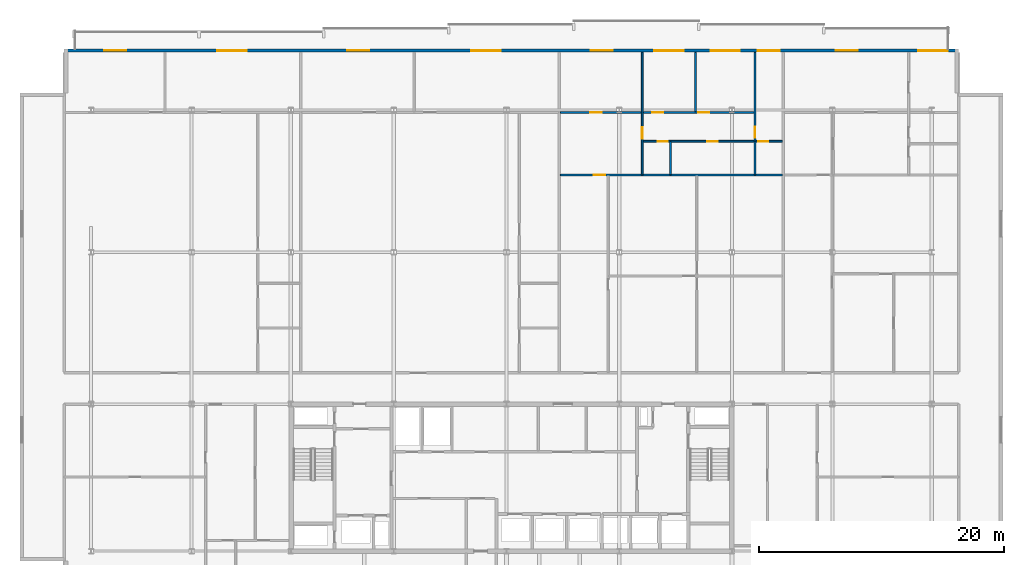
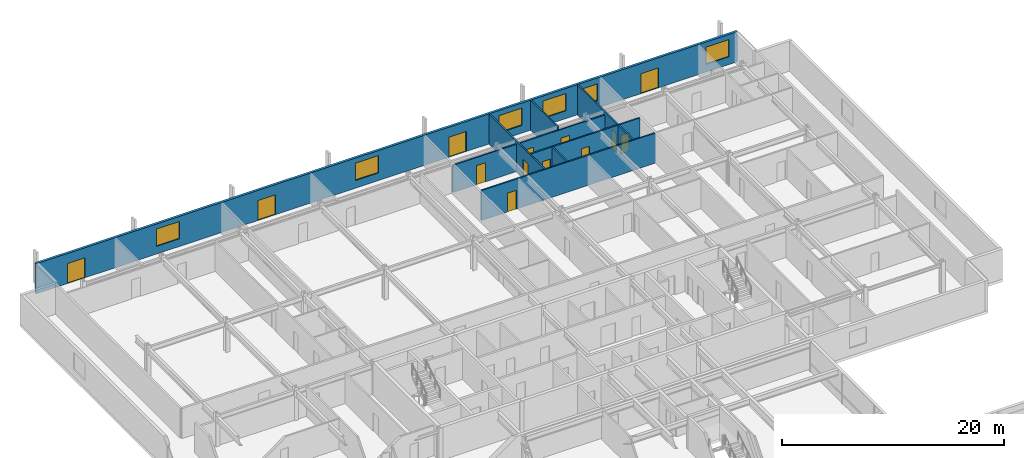
# One storey, part 28 of 36: 13 doors, 9 walls, 6 windows, 19 openings.
"""IFC4 building model written with IfcOpenShell, lengths in metres."""

from ifc_helpers import new_model, si_unit, direction, frame, frame_2d, origin, place, context, subcontext, project, spatial, rectangle, extrude, material, layer, layer_set, type_object, element, fill, save


model = new_model("IFC4")

# Units and contexts
model_context = context("Model", 3, precision=1e-05, world=origin(), true_north=direction((0.0, 1.0)))
body_context = subcontext(model_context, "Body", "Model", "MODEL_VIEW")
ifc_project = project(units=[si_unit("LENGTHUNIT", "METRE"), si_unit("AREAUNIT", "SQUARE_METRE"), si_unit("VOLUMEUNIT", "CUBIC_METRE"), si_unit("PLANEANGLEUNIT", "RADIAN"), si_unit("MASSUNIT", "GRAM", prefix="KILO")], contexts=[model_context])

# Site, building, storey
site_placement = place(None, origin())
site = spatial("IfcSite", under=ifc_project, at=site_placement, CompositionType="ELEMENT")
building_placement = place(site_placement, origin())
building = spatial("IfcBuilding", under=site, at=building_placement, Name="Korimba Cascade Residences", CompositionType="ELEMENT")
storey_placement = place(building_placement, frame((0.0, 0.0, 146.5)))
storey = spatial("IfcBuildingStorey", under=building, at=storey_placement, Name="L42", CompositionType="ELEMENT", Elevation=146.5)

# Wall, openings, doors, windows
ifc_material_1 = material(Name="Precast concrete C40/50", Category="concrete")
ifc_layer_1 = layer(ifc_material_1, 0.25)
ifc_layer_set_1 = layer_set([ifc_layer_1], Name="Precast concrete C40/50")
wall_type_1 = type_object("IfcWallType", Name="EW-LOG-250", PredefinedType="STANDARD", material=ifc_layer_set_1)
wall_1_placement = place(storey_placement, frame((130.60009765625, 96.050048828125, 0.0), z_axis=(0.0, 0.0, 1.0), x_axis=(-1.0, 0.0, 0.0)))
wall_1 = element("IfcWall", 1, at=wall_1_placement, inside=storey, type_object=wall_type_1, Name="L42 T1 Perimeter Stone Wall E06", PredefinedType="STANDARD", context=body_context, shape_type="SweptSolid", body=[
    extrude(rectangle(XDim=73.0, YDim=0.25, at=frame_2d((36.5, 0.0))), origin(), (0.0, 0.0, 1.0), 3.31005859375),
])
opening_1_placement = place(wall_1_placement, frame((67.92138671875, 0.0, 0.0)))
opening_1 = element("IfcOpeningElement", 2, at=opening_1_placement, cuts=wall_1, Name="Opening D-LG1", PredefinedType="OPENING", context=body_context, shape_type="SweptSolid", body=[
    extrude(rectangle(XDim=1.800048828125, YDim=2.199951171875, at=frame_2d((0.89990234375, 1.10009765625))), frame((0.0, 0.135009765625, 0.0), z_axis=(0.0, -1.0, 0.0), x_axis=(1.0, 0.0, 0.0)), (0.0, 0.0, 1.0), 0.27001953125),
])
opening_2_placement = place(wall_1_placement, frame((58.084228515625, 0.0, 0.85009765625)))
opening_2 = element("IfcOpeningElement", 3, at=opening_2_placement, cuts=wall_1, Name="Opening W-01", PredefinedType="OPENING", context=body_context, shape_type="SweptSolid", body=[
    extrude(rectangle(XDim=2.39990234375, YDim=1.89990234375, at=frame_2d((1.199951171875, 0.949951171875))), frame((0.0, 0.135009765625, 0.0), z_axis=(0.0, -1.0, 0.0), x_axis=(1.0, 0.0, 0.0)), (0.0, 0.0, 1.0), 0.27001953125),
])
opening_3_placement = place(wall_1_placement, frame((48.101318359375, 0.0, 0.0)))
opening_3 = element("IfcOpeningElement", 4, at=opening_3_placement, cuts=wall_1, Name="Opening D-LG1", PredefinedType="OPENING", context=body_context, shape_type="SweptSolid", body=[
    extrude(rectangle(XDim=1.800048828125, YDim=2.199951171875, at=frame_2d((0.89990234375, 1.10009765625))), frame((0.0, 0.135009765625, 0.0), z_axis=(0.0, -1.0, 0.0), x_axis=(1.0, 0.0, 0.0)), (0.0, 0.0, 1.0), 0.27001953125),
])
opening_4_placement = place(wall_1_placement, frame((37.367919921875, 0.0, 0.85009765625)))
opening_4 = element("IfcOpeningElement", 5, at=opening_4_placement, cuts=wall_1, Name="Opening W-01", PredefinedType="OPENING", context=body_context, shape_type="SweptSolid", body=[
    extrude(rectangle(XDim=2.39990234375, YDim=1.89990234375, at=frame_2d((1.199951171875, 0.949951171875))), frame((0.0, 0.135009765625, 0.0), z_axis=(0.0, -1.0, 0.0), x_axis=(1.0, 0.0, 0.0)), (0.0, 0.0, 1.0), 0.27001953125),
])
opening_5_placement = place(wall_1_placement, frame((22.445068359375, 0.0, 0.85009765625)))
opening_5 = element("IfcOpeningElement", 6, at=opening_5_placement, cuts=wall_1, Name="Opening W-01", PredefinedType="OPENING", context=body_context, shape_type="SweptSolid", body=[
    extrude(rectangle(XDim=2.39990234375, YDim=1.89990234375, at=frame_2d((1.199951171875, 0.949951171875))), frame((0.0, 0.135009765625, 0.0), z_axis=(0.0, -1.0, 0.0), x_axis=(1.0, 0.0, 0.0)), (0.0, 0.0, 1.0), 0.27001953125),
])
opening_6_placement = place(wall_1_placement, frame((17.844970703125, 0.0, 0.85009765625)))
opening_6 = element("IfcOpeningElement", 7, at=opening_6_placement, cuts=wall_1, Name="Opening W-01", PredefinedType="OPENING", context=body_context, shape_type="SweptSolid", body=[
    extrude(rectangle(XDim=2.39990234375, YDim=1.89990234375, at=frame_2d((1.199951171875, 0.949951171875))), frame((0.0, 0.135009765625, 0.0), z_axis=(0.0, -1.0, 0.0), x_axis=(1.0, 0.0, 0.0)), (0.0, 0.0, 1.0), 0.27001953125),
])
opening_7_placement = place(wall_1_placement, frame((28.2392578125, 0.0, 0.0)))
opening_7 = element("IfcOpeningElement", 8, at=opening_7_placement, cuts=wall_1, Name="Opening D-LG1", PredefinedType="OPENING", context=body_context, shape_type="SweptSolid", body=[
    extrude(rectangle(XDim=1.800048828125, YDim=2.199951171875, at=frame_2d((0.89990234375, 1.10009765625))), frame((0.0, 0.135009765625, 0.0), z_axis=(0.0, -1.0, 0.0), x_axis=(1.0, 0.0, 0.0)), (0.0, 0.0, 1.0), 0.27001953125),
])
opening_8_placement = place(wall_1_placement, frame((14.5986328125, 0.0, 0.85009765625)))
opening_8 = element("IfcOpeningElement", 9, at=opening_8_placement, cuts=wall_1, Name="Opening W-02", PredefinedType="OPENING", context=body_context, shape_type="SweptSolid", body=[
    extrude(rectangle(XDim=1.800048828125, YDim=1.800048828125, at=frame_2d((0.89990234375, 0.89990234375))), frame((0.0, 0.135009765625, 0.0), z_axis=(0.0, -1.0, 0.0), x_axis=(1.0, 0.0, 0.0)), (0.0, 0.0, 1.0), 0.27001953125),
])
opening_9_placement = place(wall_1_placement, frame((8.233642578125, 0.0, 0.0)))
opening_9 = element("IfcOpeningElement", 10, at=opening_9_placement, cuts=wall_1, Name="Opening D-LG1", PredefinedType="OPENING", context=body_context, shape_type="SweptSolid", body=[
    extrude(rectangle(XDim=1.800048828125, YDim=2.199951171875, at=frame_2d((0.89990234375, 1.10009765625))), frame((0.0, 0.135009765625, 0.0), z_axis=(0.0, -1.0, 0.0), x_axis=(1.0, 0.0, 0.0)), (0.0, 0.0, 1.0), 0.27001953125),
])
opening_10_placement = place(wall_1_placement, frame((0.89990234375, 0.0, 0.85009765625)))
opening_10 = element("IfcOpeningElement", 11, at=opening_10_placement, cuts=wall_1, Name="Opening W-01", PredefinedType="OPENING", context=body_context, shape_type="SweptSolid", body=[
    extrude(rectangle(XDim=2.39990234375, YDim=1.89990234375, at=frame_2d((1.199951171875, 0.949951171875))), frame((0.0, 0.135009765625, 0.0), z_axis=(0.0, -1.0, 0.0), x_axis=(1.0, 0.0, 0.0)), (0.0, 0.0, 1.0), 0.27001953125),
])
ifc_material_2 = material(Name="Glazed Aluminium Loggia Sliding Door", Category="aluminium")
door_type_1 = type_object("IfcDoorType", Name="DR-EXT-LOG", OperationType="NOTDEFINED", PredefinedType="DOOR", material=ifc_material_2)
door_1_placement = place(opening_1_placement, origin())
door_1 = element("IfcDoor", 12, at=door_1_placement, inside=storey, type_object=door_type_1, Name="L42 T1 Loggia Sliding Door 3", OperationType="SLIDING_TO_LEFT", OverallHeight=2.199951171875, OverallWidth=1.800048828125, PredefinedType="DOOR", context=body_context, shape_type="SweptSolid", body=[
    extrude(rectangle(XDim=1.800048828125, YDim=2.199951171875, at=frame_2d((0.89990234375, 1.10009765625))), frame((0.0, 0.02490234375, 0.0), z_axis=(0.0, -1.0, 0.0), x_axis=(1.0, 0.0, 0.0)), (0.0, 0.0, 1.0), 0.050048828125),
])
fill(opening_1, door_1)
door_2_placement = place(opening_3_placement, origin())
door_2 = element("IfcDoor", 13, at=door_2_placement, inside=storey, type_object=door_type_1, Name="L42 T1 Loggia Sliding Door 5", OperationType="SLIDING_TO_LEFT", OverallHeight=2.199951171875, OverallWidth=1.800048828125, PredefinedType="DOOR", context=body_context, shape_type="SweptSolid", body=[
    extrude(rectangle(XDim=1.800048828125, YDim=2.199951171875, at=frame_2d((0.89990234375, 1.10009765625))), frame((0.0, 0.02490234375, 0.0), z_axis=(0.0, -1.0, 0.0), x_axis=(1.0, 0.0, 0.0)), (0.0, 0.0, 1.0), 0.050048828125),
])
fill(opening_3, door_2)
door_3_placement = place(opening_7_placement, origin())
door_3 = element("IfcDoor", 14, at=door_3_placement, inside=storey, type_object=door_type_1, Name="L42 T1 Loggia Sliding Door 9", OperationType="SLIDING_TO_LEFT", OverallHeight=2.199951171875, OverallWidth=1.800048828125, PredefinedType="DOOR", context=body_context, shape_type="SweptSolid", body=[
    extrude(rectangle(XDim=1.800048828125, YDim=2.199951171875, at=frame_2d((0.89990234375, 1.10009765625))), frame((0.0, 0.02490234375, 0.0), z_axis=(0.0, -1.0, 0.0), x_axis=(1.0, 0.0, 0.0)), (0.0, 0.0, 1.0), 0.050048828125),
])
fill(opening_7, door_3)
door_4_placement = place(opening_9_placement, origin())
door_4 = element("IfcDoor", 15, at=door_4_placement, inside=storey, type_object=door_type_1, Name="L42 T1 Loggia Sliding Door 11", OperationType="SLIDING_TO_LEFT", OverallHeight=2.199951171875, OverallWidth=1.800048828125, PredefinedType="DOOR", context=body_context, shape_type="SweptSolid", body=[
    extrude(rectangle(XDim=1.800048828125, YDim=2.199951171875, at=frame_2d((0.89990234375, 1.10009765625))), frame((0.0, 0.02490234375, 0.0), z_axis=(0.0, -1.0, 0.0), x_axis=(1.0, 0.0, 0.0)), (0.0, 0.0, 1.0), 0.050048828125),
])
fill(opening_9, door_4)
ifc_material_3 = material(Name="Double-Glazed Aluminium Window", Category="aluminium")
window_type_1 = type_object("IfcWindowType", Name="WIN-BED-1800", PartitioningType="SINGLE_PANEL", PredefinedType="WINDOW", material=ifc_material_3)
window_1_placement = place(opening_8_placement, origin())
window_1 = element("IfcWindow", 16, at=window_1_placement, inside=storey, type_object=window_type_1, Name="L42 T1 North Facade Window 10", OverallHeight=1.800048828125, OverallWidth=1.800048828125, PartitioningType="SINGLE_PANEL", PredefinedType="WINDOW", context=body_context, shape_type="SweptSolid", body=[
    extrude(rectangle(XDim=1.800048828125, YDim=1.800048828125, at=frame_2d((0.89990234375, 0.89990234375))), frame((0.0, 0.030029296875, 0.0), z_axis=(0.0, -1.0, 0.0), x_axis=(1.0, 0.0, 0.0)), (0.0, 0.0, 1.0), 0.06005859375),
])
fill(opening_8, window_1)
window_type_2 = type_object("IfcWindowType", Name="WIN-RES-2400", PartitioningType="DOUBLE_PANEL_VERTICAL", PredefinedType="WINDOW", material=ifc_material_3)
window_2_placement = place(opening_2_placement, origin())
window_2 = element("IfcWindow", 17, at=window_2_placement, inside=storey, type_object=window_type_2, Name="L42 T1 North Facade Window 4", OverallHeight=1.89990234375, OverallWidth=2.39990234375, PartitioningType="DOUBLE_PANEL_VERTICAL", PredefinedType="WINDOW", context=body_context, shape_type="SweptSolid", body=[
    extrude(rectangle(XDim=2.39990234375, YDim=1.89990234375, at=frame_2d((1.199951171875, 0.949951171875))), frame((0.0, 0.030029296875, 0.0), z_axis=(0.0, -1.0, 0.0), x_axis=(1.0, 0.0, 0.0)), (0.0, 0.0, 1.0), 0.06005859375),
])
fill(opening_2, window_2)
window_3_placement = place(opening_4_placement, origin())
window_3 = element("IfcWindow", 18, at=window_3_placement, inside=storey, type_object=window_type_2, Name="L42 T1 North Facade Window 6", OverallHeight=1.89990234375, OverallWidth=2.39990234375, PartitioningType="DOUBLE_PANEL_VERTICAL", PredefinedType="WINDOW", context=body_context, shape_type="SweptSolid", body=[
    extrude(rectangle(XDim=2.39990234375, YDim=1.89990234375, at=frame_2d((1.199951171875, 0.949951171875))), frame((0.0, 0.030029296875, 0.0), z_axis=(0.0, -1.0, 0.0), x_axis=(1.0, 0.0, 0.0)), (0.0, 0.0, 1.0), 0.06005859375),
])
fill(opening_4, window_3)
window_4_placement = place(opening_5_placement, origin())
window_4 = element("IfcWindow", 19, at=window_4_placement, inside=storey, type_object=window_type_2, Name="L42 T1 North Facade Window 7", OverallHeight=1.89990234375, OverallWidth=2.39990234375, PartitioningType="DOUBLE_PANEL_VERTICAL", PredefinedType="WINDOW", context=body_context, shape_type="SweptSolid", body=[
    extrude(rectangle(XDim=2.39990234375, YDim=1.89990234375, at=frame_2d((1.199951171875, 0.949951171875))), frame((0.0, 0.030029296875, 0.0), z_axis=(0.0, -1.0, 0.0), x_axis=(1.0, 0.0, 0.0)), (0.0, 0.0, 1.0), 0.06005859375),
])
fill(opening_5, window_4)
window_5_placement = place(opening_6_placement, origin())
window_5 = element("IfcWindow", 20, at=window_5_placement, inside=storey, type_object=window_type_2, Name="L42 T1 North Facade Window 8", OverallHeight=1.89990234375, OverallWidth=2.39990234375, PartitioningType="DOUBLE_PANEL_VERTICAL", PredefinedType="WINDOW", context=body_context, shape_type="SweptSolid", body=[
    extrude(rectangle(XDim=2.39990234375, YDim=1.89990234375, at=frame_2d((1.199951171875, 0.949951171875))), frame((0.0, 0.030029296875, 0.0), z_axis=(0.0, -1.0, 0.0), x_axis=(1.0, 0.0, 0.0)), (0.0, 0.0, 1.0), 0.06005859375),
])
fill(opening_6, window_5)
window_6_placement = place(opening_10_placement, origin())
window_6 = element("IfcWindow", 21, at=window_6_placement, inside=storey, type_object=window_type_2, Name="L42 T1 North Facade Window 12", OverallHeight=1.89990234375, OverallWidth=2.39990234375, PartitioningType="DOUBLE_PANEL_VERTICAL", PredefinedType="WINDOW", context=body_context, shape_type="SweptSolid", body=[
    extrude(rectangle(XDim=2.39990234375, YDim=1.89990234375, at=frame_2d((1.199951171875, 0.949951171875))), frame((0.0, 0.030029296875, 0.0), z_axis=(0.0, -1.0, 0.0), x_axis=(1.0, 0.0, 0.0)), (0.0, 0.0, 1.0), 0.06005859375),
])
fill(opening_10, window_6)

# Walls
ifc_material_4 = material(Name="Insulated Acoustic Stud Partition", Category="gypsum")
ifc_layer_2 = layer(ifc_material_4, 0.14990234375)
ifc_layer_set_2 = layer_set([ifc_layer_2], Name="Insulated Acoustic Stud Partition")
wall_type_2 = type_object("IfcWallType", Name="WAL-PART-150", PredefinedType="PARTITIONING", material=ifc_layer_set_2)
wall_2_placement = place(storey_placement, frame((107.090087890625, 85.93994140625, 0.0), z_axis=(0.0, 0.0, 1.0), x_axis=(0.0, 1.0, 0.0)))
element("IfcWall", 22, at=wall_2_placement, inside=storey, type_object=wall_type_2, Name="L42 Partition Wall WAL-L42-T1-U03-VDRS", PredefinedType="PARTITIONING", context=body_context, shape_type="SweptSolid", body=[
    extrude(rectangle(XDim=2.68994140625, YDim=0.14990234375, at=frame_2d((1.344970703125, 0.0))), origin(), (0.0, 0.0, 1.0), 3.31005859375),
])
wall_3_placement = place(storey_placement, frame((109.1298828125, 91.080078125, 0.0), z_axis=(0.0, 0.0, 1.0), x_axis=(0.0, 1.0, 0.0)))
element("IfcWall", 23, at=wall_3_placement, inside=storey, type_object=wall_type_2, Name="L42 Partition Wall WAL-L42-T1-U03-VSTD", PredefinedType="PARTITIONING", context=body_context, shape_type="SweptSolid", body=[
    extrude(rectangle(XDim=4.81982421875, YDim=0.14990234375, at=frame_2d((2.409912109375, 0.0))), origin(), (0.0, 0.0, 1.0), 3.31005859375),
])

# Wall, opening, door
wall_4_placement = place(storey_placement, frame((104.780029296875, 85.93994140625, 0.0), z_axis=(0.0, 0.0, 1.0), x_axis=(0.0, 1.0, 0.0)))
wall_4 = element("IfcWall", 24, at=wall_4_placement, inside=storey, type_object=wall_type_2, Name="L42 Partition Wall WAL-L42-T1-U03-V1", PredefinedType="PARTITIONING", context=body_context, shape_type="SweptSolid", body=[
    extrude(rectangle(XDim=9.9599609375, YDim=0.14990234375, at=frame_2d((4.97998046875, 0.0))), origin(), (0.0, 0.0, 1.0), 3.31005859375),
])
opening_11_placement = place(wall_4_placement, frame((2.93603515625, 0.0, 0.0)))
opening_11 = element("IfcOpeningElement", 25, at=opening_11_placement, cuts=wall_4, Name="Opening D-IN1", PredefinedType="OPENING", context=body_context, shape_type="SweptSolid", body=[
    extrude(rectangle(XDim=0.919921875, YDim=2.080078125, at=frame_2d((0.4599609375, 1.0400390625))), frame((0.0, 0.0849609375, 0.0), z_axis=(0.0, -1.0, 0.0), x_axis=(1.0, 0.0, 0.0)), (0.0, 0.0, 1.0), 0.169921875),
])
ifc_material_5 = material(Name="Acoustic Timber Living Door", Category="wood")
door_type_2 = type_object("IfcDoorType", Name="DR-INT-920", OperationType="NOTDEFINED", PredefinedType="DOOR", material=ifc_material_5)
door_5_placement = place(opening_11_placement, origin())
door_5 = element("IfcDoor", 26, at=door_5_placement, inside=storey, type_object=door_type_2, Name="L42-T1-U03 Hallway Door", OperationType="SINGLE_SWING_LEFT", OverallHeight=2.080078125, OverallWidth=0.919921875, PredefinedType="DOOR", context=body_context, shape_type="SweptSolid", body=[
    extrude(rectangle(XDim=0.919921875, YDim=2.080078125, at=frame_2d((0.4599609375, 1.0400390625))), frame((0.0, 0.02490234375, 0.0), z_axis=(0.0, -1.0, 0.0), x_axis=(1.0, 0.0, 0.0)), (0.0, 0.0, 1.0), 0.050048828125),
])
fill(opening_11, door_5)

# Wall
wall_5_placement = place(storey_placement, frame((113.97998046875, 85.93994140625, 0.0), z_axis=(0.0, 0.0, 1.0), x_axis=(0.0, 1.0, 0.0)))
element("IfcWall", 27, at=wall_5_placement, inside=storey, type_object=wall_type_2, Name="L42 Partition Wall WAL-L42-T1-U03-VBATH", PredefinedType="PARTITIONING", context=body_context, shape_type="SweptSolid", body=[
    extrude(rectangle(XDim=2.68994140625, YDim=0.14990234375, at=frame_2d((1.344970703125, 0.0))), origin(), (0.0, 0.0, 1.0), 3.31005859375),
])

# Wall, opening, door
wall_6_placement = place(storey_placement, frame((113.97998046875, 88.669921875, 0.0), z_axis=(0.0, 0.0, 1.0), x_axis=(0.0, 1.0, 0.0)))
wall_6 = element("IfcWall", 28, at=wall_6_placement, inside=storey, type_object=wall_type_2, Name="L42 Partition Wall WAL-L42-T1-U03-V2FULL", PredefinedType="PARTITIONING", context=body_context, shape_type="SweptSolid", body=[
    extrude(rectangle(XDim=7.22998046875, YDim=0.14990234375, at=frame_2d((3.614990234375, 0.0))), origin(), (0.0, 0.0, 1.0), 3.31005859375),
])
opening_12_placement = place(wall_6_placement, frame((0.260009765625, 0.0, 0.0)))
opening_12 = element("IfcOpeningElement", 29, at=opening_12_placement, cuts=wall_6, Name="Opening D-IN1", PredefinedType="OPENING", context=body_context, shape_type="SweptSolid", body=[
    extrude(rectangle(XDim=0.919921875, YDim=2.080078125, at=frame_2d((0.4599609375, 1.0400390625))), frame((0.0, 0.0849609375, 0.0), z_axis=(0.0, -1.0, 0.0), x_axis=(1.0, 0.0, 0.0)), (0.0, 0.0, 1.0), 0.169921875),
])
door_6_placement = place(opening_12_placement, origin())
door_6 = element("IfcDoor", 30, at=door_6_placement, inside=storey, type_object=door_type_2, Name="L42-T1-U03 Master Bedroom Door", OperationType="SINGLE_SWING_RIGHT", OverallHeight=2.080078125, OverallWidth=0.919921875, PredefinedType="DOOR", context=body_context, shape_type="SweptSolid", body=[
    extrude(rectangle(XDim=0.919921875, YDim=2.080078125, at=frame_2d((0.4599609375, 1.0400390625))), frame((0.0, 0.02490234375, 0.0), z_axis=(0.0, -1.0, 0.0), x_axis=(1.0, 0.0, 0.0)), (0.0, 0.0, 1.0), 0.050048828125),
])
fill(opening_12, door_6)

# Wall, openings, doors
wall_7_placement = place(storey_placement, frame((104.820068359375, 88.64990234375, 0.0), z_axis=(0.0, 0.0, 1.0), x_axis=(1.0, 0.0, 0.0)))
wall_7 = element("IfcWall", 31, at=wall_7_placement, inside=storey, type_object=wall_type_2, Name="L42 Partition Wall WAL-L42-T1-U03-HWALL", PredefinedType="PARTITIONING", context=body_context, shape_type="SweptSolid", body=[
    extrude(rectangle(XDim=11.392822265625, YDim=0.14990234375, at=frame_2d((5.6962890625, 0.0))), origin(), (0.0, 0.0, 1.0), 3.31005859375),
])
opening_13_placement = place(wall_7_placement, frame((1.2099609375, 0.0, 0.0)))
opening_13 = element("IfcOpeningElement", 32, at=opening_13_placement, cuts=wall_7, Name="Opening D-BT1", PredefinedType="OPENING", context=body_context, shape_type="SweptSolid", body=[
    extrude(rectangle(XDim=0.840087890625, YDim=2.0400390625, at=frame_2d((0.419921875, 1.02001953125))), frame((0.0, 0.0849609375, 0.0), z_axis=(0.0, -1.0, 0.0), x_axis=(1.0, 0.0, 0.0)), (0.0, 0.0, 1.0), 0.169921875),
])
opening_14_placement = place(wall_7_placement, frame((5.2763671875, 0.0, 0.0)))
opening_14 = element("IfcOpeningElement", 33, at=opening_14_placement, cuts=wall_7, Name="Opening D-BT1", PredefinedType="OPENING", context=body_context, shape_type="SweptSolid", body=[
    extrude(rectangle(XDim=0.840087890625, YDim=2.0400390625, at=frame_2d((0.419921875, 1.02001953125))), frame((0.0, 0.0849609375, 0.0), z_axis=(0.0, -1.0, 0.0), x_axis=(1.0, 0.0, 0.0)), (0.0, 0.0, 1.0), 0.169921875),
])
opening_15_placement = place(wall_7_placement, frame((9.409912109375, 0.0, 0.0)))
opening_15 = element("IfcOpeningElement", 34, at=opening_15_placement, cuts=wall_7, Name="Opening D-BT1", PredefinedType="OPENING", context=body_context, shape_type="SweptSolid", body=[
    extrude(rectangle(XDim=0.840087890625, YDim=2.0400390625, at=frame_2d((0.419921875, 1.02001953125))), frame((0.0, 0.0849609375, 0.0), z_axis=(0.0, -1.0, 0.0), x_axis=(1.0, 0.0, 0.0)), (0.0, 0.0, 1.0), 0.169921875),
])
ifc_material_6 = material(Name="Moisture-Resistant Bathroom Timber Door", Category="wood")
door_type_3 = type_object("IfcDoorType", Name="DR-INT-850", OperationType="NOTDEFINED", PredefinedType="DOOR", material=ifc_material_6)
door_7_placement = place(opening_13_placement, origin())
door_7 = element("IfcDoor", 35, at=door_7_placement, inside=storey, type_object=door_type_3, Name="L42-T1-U03 Family Bathroom Door", OperationType="SINGLE_SWING_LEFT", OverallHeight=2.0400390625, OverallWidth=0.840087890625, PredefinedType="DOOR", context=body_context, shape_type="SweptSolid", body=[
    extrude(rectangle(XDim=0.840087890625, YDim=2.0400390625, at=frame_2d((0.419921875, 1.02001953125))), frame((0.0, 0.02490234375, 0.0), z_axis=(0.0, -1.0, 0.0), x_axis=(1.0, 0.0, 0.0)), (0.0, 0.0, 1.0), 0.050048828125),
])
fill(opening_13, door_7)
door_8_placement = place(opening_14_placement, origin())
door_8 = element("IfcDoor", 36, at=door_8_placement, inside=storey, type_object=door_type_3, Name="L42-T1-U03 Dressing Room Door", OperationType="SINGLE_SWING_RIGHT", OverallHeight=2.0400390625, OverallWidth=0.840087890625, PredefinedType="DOOR", context=body_context, shape_type="SweptSolid", body=[
    extrude(rectangle(XDim=0.840087890625, YDim=2.0400390625, at=frame_2d((0.419921875, 1.02001953125))), frame((0.0, 0.02490234375, 0.0), z_axis=(0.0, -1.0, 0.0), x_axis=(1.0, 0.0, 0.0)), (0.0, 0.0, 1.0), 0.050048828125),
])
fill(opening_14, door_8)
door_9_placement = place(opening_15_placement, origin())
door_9 = element("IfcDoor", 37, at=door_9_placement, inside=storey, type_object=door_type_3, Name="L42-T1-U03 En-Suite Door", OperationType="SINGLE_SWING_LEFT", OverallHeight=2.0400390625, OverallWidth=0.840087890625, PredefinedType="DOOR", context=body_context, shape_type="SweptSolid", body=[
    extrude(rectangle(XDim=0.840087890625, YDim=2.0400390625, at=frame_2d((0.419921875, 1.02001953125))), frame((0.0, 0.02490234375, 0.0), z_axis=(0.0, -1.0, 0.0), x_axis=(1.0, 0.0, 0.0)), (0.0, 0.0, 1.0), 0.050048828125),
])
fill(opening_15, door_9)

# Wall, opening, door
wall_8_placement = place(storey_placement, frame((98.101318359375, 85.89990234375, 0.0), z_axis=(0.0, 0.0, 1.0), x_axis=(1.0, 0.0, 0.0)))
wall_8 = element("IfcWall", 38, at=wall_8_placement, inside=storey, type_object=wall_type_2, Name="L42 Partition Wall WAL-L42-T1-U03-MW", PredefinedType="PARTITIONING", context=body_context, shape_type="SweptSolid", body=[
    extrude(rectangle(XDim=18.111572265625, YDim=0.14990234375, at=frame_2d((9.0556640625, 0.0))), origin(), (0.0, 0.0, 1.0), 3.31005859375),
])
opening_16_placement = place(wall_8_placement, frame((2.719970703125, 0.0, 0.0)))
opening_16 = element("IfcOpeningElement", 39, at=opening_16_placement, cuts=wall_8, Name="Opening D-IN1", PredefinedType="OPENING", context=body_context, shape_type="SweptSolid", body=[
    extrude(rectangle(XDim=0.919921875, YDim=2.080078125, at=frame_2d((0.4599609375, 1.0400390625))), frame((0.0, 0.0849609375, 0.0), z_axis=(0.0, -1.0, 0.0), x_axis=(1.0, 0.0, 0.0)), (0.0, 0.0, 1.0), 0.169921875),
])
door_10_placement = place(opening_16_placement, origin())
door_10 = element("IfcDoor", 40, at=door_10_placement, inside=storey, type_object=door_type_2, Name="L42-T1-U03 Kitchen Door", OperationType="SINGLE_SWING_RIGHT", OverallHeight=2.080078125, OverallWidth=0.919921875, PredefinedType="DOOR", context=body_context, shape_type="SweptSolid", body=[
    extrude(rectangle(XDim=0.919921875, YDim=2.080078125, at=frame_2d((0.4599609375, 1.0400390625))), frame((0.0, 0.02490234375, 0.0), z_axis=(0.0, -1.0, 0.0), x_axis=(1.0, 0.0, 0.0)), (0.0, 0.0, 1.0), 0.050048828125),
])
fill(opening_16, door_10)

# Wall, openings, doors
wall_9_placement = place(storey_placement, frame((98.101318359375, 91.0, 0.0), z_axis=(0.0, 0.0, 1.0), x_axis=(1.0, 0.0, 0.0)))
wall_9 = element("IfcWall", 41, at=wall_9_placement, inside=storey, type_object=wall_type_2, Name="L42 Partition Wall WAL-L42-T1-U03-HZ", PredefinedType="PARTITIONING", context=body_context, shape_type="SweptSolid", body=[
    extrude(rectangle(XDim=15.878662109375, YDim=0.14990234375, at=frame_2d((7.939453125, 0.0))), origin(), (0.0, 0.0, 1.0), 3.00341796875),
])
opening_17_placement = place(wall_9_placement, frame((2.4501953125, 0.0, 0.0)))
opening_17 = element("IfcOpeningElement", 42, at=opening_17_placement, cuts=wall_9, Name="Opening D-IN0", PredefinedType="OPENING", context=body_context, shape_type="SweptSolid", body=[
    extrude(rectangle(XDim=0.93994140625, YDim=2.10009765625, at=frame_2d((0.469970703125, 1.050048828125))), frame((0.0, 0.0849609375, 0.0), z_axis=(0.0, -1.0, 0.0), x_axis=(1.0, 0.0, 0.0)), (0.0, 0.0, 1.0), 0.169921875),
])
opening_18_placement = place(wall_9_placement, frame((7.499267578125, 0.0, 0.0)))
opening_18 = element("IfcOpeningElement", 43, at=opening_18_placement, cuts=wall_9, Name="Opening D-IN2", PredefinedType="OPENING", context=body_context, shape_type="SweptSolid", body=[
    extrude(rectangle(XDim=0.8798828125, YDim=2.06005859375, at=frame_2d((0.43994140625, 1.030029296875))), frame((0.0, 0.0849609375, 0.0), z_axis=(0.0, -1.0, 0.0), x_axis=(1.0, 0.0, 0.0)), (0.0, 0.0, 1.0), 0.169921875),
])
opening_19_placement = place(wall_9_placement, frame((11.24853515625, 0.0, 0.0)))
opening_19 = element("IfcOpeningElement", 44, at=opening_19_placement, cuts=wall_9, Name="Opening D-IN2", PredefinedType="OPENING", context=body_context, shape_type="SweptSolid", body=[
    extrude(rectangle(XDim=0.8798828125, YDim=2.06005859375, at=frame_2d((0.43994140625, 1.030029296875))), frame((0.0, 0.0849609375, 0.0), z_axis=(0.0, -1.0, 0.0), x_axis=(1.0, 0.0, 0.0)), (0.0, 0.0, 1.0), 0.169921875),
])
ifc_material_7 = material(Name="Acoustic Timber Bedroom Door", Category="wood")
door_type_4 = type_object("IfcDoorType", Name="DR-INT-880", OperationType="NOTDEFINED", PredefinedType="DOOR", material=ifc_material_7)
door_11_placement = place(opening_18_placement, origin())
door_11 = element("IfcDoor", 45, at=door_11_placement, inside=storey, type_object=door_type_4, Name="L42-T1-U03 Bedroom 2 Door", OperationType="SINGLE_SWING_RIGHT", OverallHeight=2.06005859375, OverallWidth=0.8798828125, PredefinedType="DOOR", context=body_context, shape_type="SweptSolid", body=[
    extrude(rectangle(XDim=0.8798828125, YDim=2.06005859375, at=frame_2d((0.43994140625, 1.030029296875))), frame((0.0, 0.02490234375, 0.0), z_axis=(0.0, -1.0, 0.0), x_axis=(1.0, 0.0, 0.0)), (0.0, 0.0, 1.0), 0.050048828125),
])
fill(opening_18, door_11)
door_12_placement = place(opening_19_placement, origin())
door_12 = element("IfcDoor", 46, at=door_12_placement, inside=storey, type_object=door_type_4, Name="L42-T1-U03 Study Door", OperationType="SINGLE_SWING_LEFT", OverallHeight=2.06005859375, OverallWidth=0.8798828125, PredefinedType="DOOR", context=body_context, shape_type="SweptSolid", body=[
    extrude(rectangle(XDim=0.8798828125, YDim=2.06005859375, at=frame_2d((0.43994140625, 1.030029296875))), frame((0.0, 0.02490234375, 0.0), z_axis=(0.0, -1.0, 0.0), x_axis=(1.0, 0.0, 0.0)), (0.0, 0.0, 1.0), 0.050048828125),
])
fill(opening_19, door_12)
ifc_material_8 = material(Name="Acoustic Timber Living Archway Door", Category="wood")
door_type_5 = type_object("IfcDoorType", Name="DR-INT-950", OperationType="NOTDEFINED", PredefinedType="DOOR", material=ifc_material_8)
door_13_placement = place(opening_17_placement, origin())
door_13 = element("IfcDoor", 47, at=door_13_placement, inside=storey, type_object=door_type_5, Name="L42-T1-U03 Living Room Door", OperationType="SINGLE_SWING_LEFT", OverallHeight=2.10009765625, OverallWidth=0.93994140625, PredefinedType="DOOR", context=body_context, shape_type="SweptSolid", body=[
    extrude(rectangle(XDim=0.93994140625, YDim=2.10009765625, at=frame_2d((0.469970703125, 1.050048828125))), frame((0.0, 0.02490234375, 0.0), z_axis=(0.0, -1.0, 0.0), x_axis=(1.0, 0.0, 0.0)), (0.0, 0.0, 1.0), 0.050048828125),
])
fill(opening_17, door_13)

save(model, "model.ifc")
